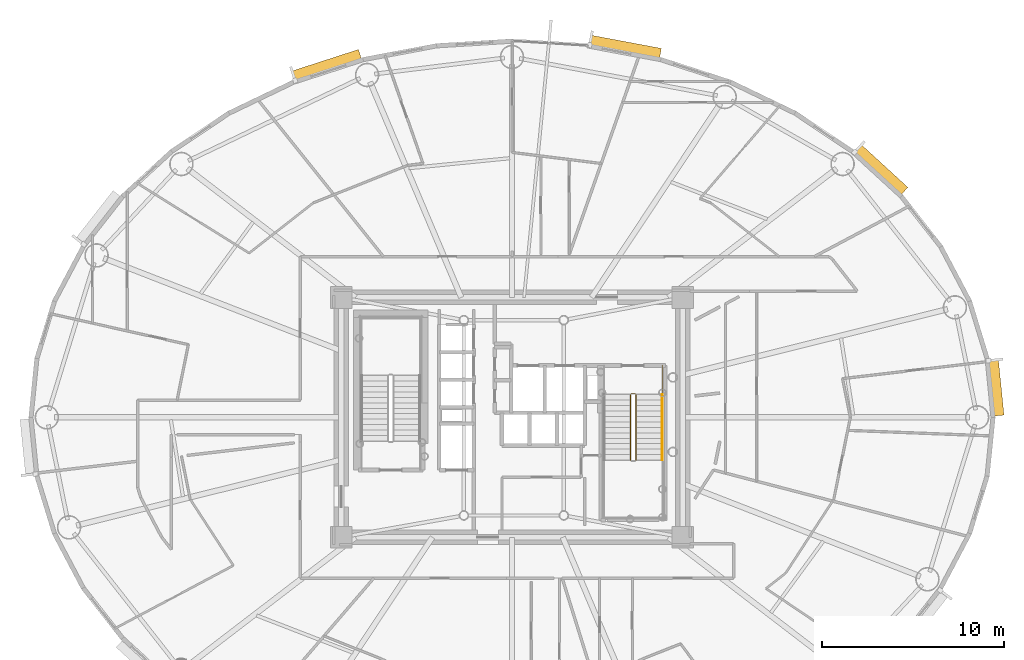
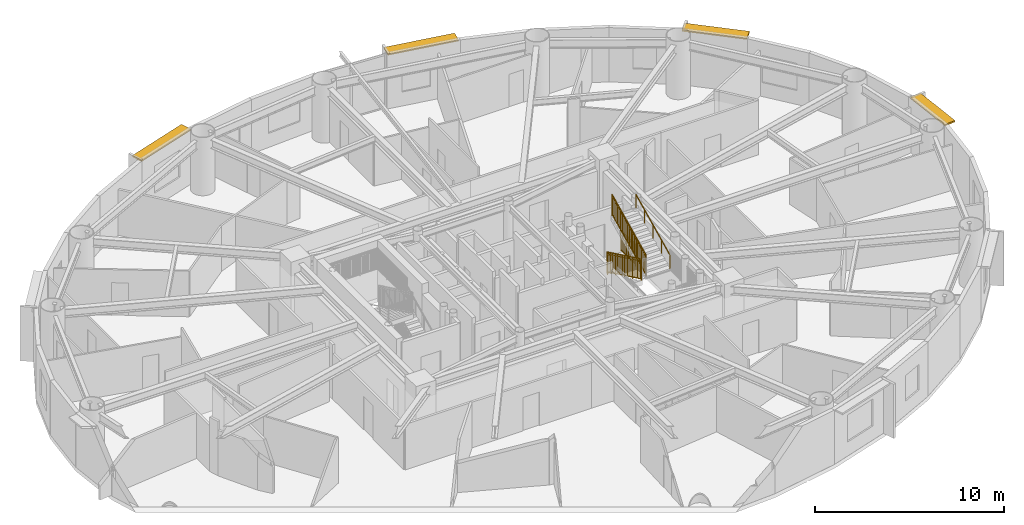
# One storey, part 17 of 17: 5 railings, 4 shading devices.
"""IFC4 building model written with IfcOpenShell, lengths in metres."""

from ifc_helpers import new_model, si_unit, direction, frame, origin, origin_2d, place, context, subcontext, project, spatial, rectangle, extrude, source, transform, mapped, material, layer, layer_set, type_object, element, save


model = new_model("IFC4")

# Units and contexts
model_context = context("Model", 3, precision=1e-05, world=origin(), true_north=direction((0.0, 1.0)))
body_context = subcontext(model_context, "Body", "Model", "MODEL_VIEW")
ifc_project = project(units=[si_unit("LENGTHUNIT", "METRE"), si_unit("AREAUNIT", "SQUARE_METRE"), si_unit("VOLUMEUNIT", "CUBIC_METRE"), si_unit("PLANEANGLEUNIT", "RADIAN"), si_unit("MASSUNIT", "GRAM", prefix="KILO")], contexts=[model_context])

# Site, building, storey
site_placement = place(None, origin())
site = spatial("IfcSite", under=ifc_project, at=site_placement, CompositionType="ELEMENT")
building_placement = place(site_placement, origin())
building = spatial("IfcBuilding", under=site, at=building_placement, Name="Linh Dai School and Residence Tower", CompositionType="ELEMENT")
storey_placement = place(building_placement, frame((0.0, 0.0, 182.39990234375)))
storey = spatial("IfcBuildingStorey", under=building, at=storey_placement, Name="L44", CompositionType="ELEMENT", Elevation=182.39990234375)

# Shading devices
ifc_material_1 = material(Name="Terracotta Ceramic Sunshade", Category="masonry")
ifc_layer = layer(ifc_material_1, 0.10009765625)
ifc_layer_set = layer_set([ifc_layer], Name="Terracotta Ceramic Sunshade")
shading_device_type = type_object("IfcShadingDeviceType", Name="SHD-TC-650", PredefinedType="USERDEFINED", material=ifc_layer_set)
shared_shape_1 = source(origin(), body_context, "Body", "SweptSolid", [
    extrude(rectangle(XDim=3.1201171875, YDim=0.64990234375, at=origin_2d()), origin(), (0.0, 0.0, 1.0), 0.10009765625),
])
shading_device_1_placement = place(storey_placement, frame((62.59619140625, 28.645263671875, 3.380126953125), z_axis=(0.0, 0.0, 1.0), x_axis=(0.100001796141, -0.994987256586, 0.0)))
element("IfcShadingDevice", 1, at=shading_device_1_placement, inside=storey, type_object=shading_device_type, Name="L44 Terracotta Horizontal Sunshade Band 01", ObjectType="SUNSHADE", PredefinedType="USERDEFINED", context=body_context, shape_type="MappedRepresentation", body=[
    mapped(shared_shape_1, transform((0.0, 0.0, 0.0), x_axis=(1.0, 0.0, 0.0), y_axis=(0.0, 1.0, 0.0), z_axis=(0.0, 0.0, 1.0), scale=1.0)),
])
shared_shape_2 = source(origin(), body_context, "Body", "SweptSolid", [
    extrude(rectangle(XDim=3.51171875, YDim=0.64990234375, at=origin_2d()), origin(), (0.0, 0.0, 1.0), 0.10009765625),
])
shading_device_2_placement = place(storey_placement, frame((56.272705078125, 40.604736328125, 3.380126953125), z_axis=(0.0, 0.0, 1.0), x_axis=(0.737085029426, -0.67580001435, 0.0)))
element("IfcShadingDevice", 2, at=shading_device_2_placement, inside=storey, type_object=shading_device_type, Name="L44 Terracotta Horizontal Sunshade Band 05", ObjectType="SUNSHADE", PredefinedType="USERDEFINED", context=body_context, shape_type="MappedRepresentation", body=[
    mapped(shared_shape_2, transform((0.0, 0.0, 0.0), x_axis=(1.0, 0.0, 0.0), y_axis=(0.0, 1.0, 0.0), z_axis=(0.0, 0.0, 1.0), scale=1.0)),
])
shared_shape_3 = source(origin(), body_context, "Body", "SweptSolid", [
    extrude(rectangle(XDim=3.949462890625, YDim=0.64990234375, at=origin_2d()), origin(), (0.0, 0.0, 1.0), 0.10009765625),
])
shading_device_3_placement = place(storey_placement, frame((42.219970703125, 47.349609375, 3.380126953125), z_axis=(0.0, 0.0, 1.0), x_axis=(0.982783192645, -0.184762540184, 0.0)))
element("IfcShadingDevice", 3, at=shading_device_3_placement, inside=storey, type_object=shading_device_type, Name="L44 Terracotta Horizontal Sunshade Band 09", ObjectType="SUNSHADE", PredefinedType="USERDEFINED", context=body_context, shape_type="MappedRepresentation", body=[
    mapped(shared_shape_3, transform((0.0, 0.0, 0.0), x_axis=(1.0, 0.0, 0.0), y_axis=(0.0, 1.0, 0.0), z_axis=(0.0, 0.0, 1.0), scale=1.0)),
])
shared_shape_4 = source(origin(), body_context, "Body", "SweptSolid", [
    extrude(rectangle(XDim=3.876220703125, YDim=0.64990234375, at=origin_2d()), origin(), (0.0, 0.0, 1.0), 0.10009765625),
])
shading_device_4_placement = place(storey_placement, frame((25.802734375, 46.337646484375, 3.380126953125), z_axis=(0.0, 0.0, 1.0), x_axis=(0.951212761419, 0.308535707031, 0.0)))
element("IfcShadingDevice", 4, at=shading_device_4_placement, inside=storey, type_object=shading_device_type, Name="L44 Terracotta Horizontal Sunshade Band 13", ObjectType="SUNSHADE", PredefinedType="USERDEFINED", context=body_context, shape_type="MappedRepresentation", body=[
    mapped(shared_shape_4, transform((0.0, 0.0, 0.0), x_axis=(1.0, 0.0, 0.0), y_axis=(0.0, 1.0, 0.0), z_axis=(0.0, 0.0, 1.0), scale=1.0)),
])

# Railings
ifc_material_2 = material(Name="Structural Steel S355JR", Category="steel")
railing_type_1 = type_object("IfcRailingType", Name="RL-ST-GUARD-1400", PredefinedType="GUARDRAIL", material=ifc_material_2)
shared_shape_5 = source(origin(), body_context, "Body", "SweptSolid", [
    extrude(rectangle(XDim=0.048095703125, YDim=0.048095703125, at=origin_2d()), frame((0.0, 0.0, 1.3759765625), z_axis=(0.0, 0.901262522062, 0.433273431364), x_axis=(-1.0, 0.0, 0.0)), (0.0, 0.0, 1.0), 3.994384765625),
    extrude(rectangle(XDim=0.048095703125, YDim=0.048095703125, at=origin_2d()), frame((0.0, 0.0, 0.10009765625), z_axis=(0.0, 0.901262522062, 0.433273431364), x_axis=(-1.0, 0.0, 0.0)), (0.0, 0.0, 1.0), 3.994384765625),
    extrude(rectangle(XDim=0.030029296875, YDim=0.030029296875, at=origin_2d()), frame((0.0, 0.0, 1.239990234375), z_axis=(0.0, 0.901262522062, 0.433273431364), x_axis=(-1.0, 0.0, 0.0)), (0.0, 0.0, 1.0), 3.994384765625),
    extrude(rectangle(XDim=0.02001953125, YDim=0.02001953125, at=origin_2d()), frame((0.0, 0.087890625, 0.142333984375)), (0.0, 0.0, 1.0), 1.251708984375),
    extrude(rectangle(XDim=0.02001953125, YDim=0.02001953125, at=origin_2d()), frame((0.0, 0.175537109375, 0.1845703125)), (0.0, 0.0, 1.0), 1.251708984375),
    extrude(rectangle(XDim=0.02001953125, YDim=0.02001953125, at=origin_2d()), frame((0.0, 0.263427734375, 0.226806640625)), (0.0, 0.0, 1.0), 1.251708984375),
    extrude(rectangle(XDim=0.02001953125, YDim=0.02001953125, at=origin_2d()), frame((0.0, 0.351318359375, 0.26904296875)), (0.0, 0.0, 1.0), 1.251708984375),
    extrude(rectangle(XDim=0.02001953125, YDim=0.02001953125, at=origin_2d()), frame((0.0, 0.43896484375, 0.311279296875)), (0.0, 0.0, 1.0), 1.251708984375),
    extrude(rectangle(XDim=0.02001953125, YDim=0.02001953125, at=origin_2d()), frame((0.0, 0.52685546875, 0.353271484375)), (0.0, 0.0, 1.0), 1.251708984375),
    extrude(rectangle(XDim=0.02001953125, YDim=0.02001953125, at=origin_2d()), frame((0.0, 0.61474609375, 0.3955078125)), (0.0, 0.0, 1.0), 1.251708984375),
    extrude(rectangle(XDim=0.02001953125, YDim=0.02001953125, at=origin_2d()), frame((0.0, 0.702392578125, 0.437744140625)), (0.0, 0.0, 1.0), 1.251708984375),
    extrude(rectangle(XDim=0.02001953125, YDim=0.02001953125, at=origin_2d()), frame((0.0, 0.790283203125, 0.47998046875)), (0.0, 0.0, 1.0), 1.251708984375),
    extrude(rectangle(XDim=0.02001953125, YDim=0.02001953125, at=origin_2d()), frame((0.0, 0.9658203125, 0.564453125)), (0.0, 0.0, 1.0), 1.251708984375),
    extrude(rectangle(XDim=0.02001953125, YDim=0.02001953125, at=origin_2d()), frame((0.0, 1.0537109375, 0.606689453125)), (0.0, 0.0, 1.0), 1.251708984375),
    extrude(rectangle(XDim=0.02001953125, YDim=0.02001953125, at=origin_2d()), frame((0.0, 1.1416015625, 0.64892578125)), (0.0, 0.0, 1.0), 1.251708984375),
    extrude(rectangle(XDim=0.02001953125, YDim=0.02001953125, at=origin_2d()), frame((0.0, 1.229248046875, 0.691162109375)), (0.0, 0.0, 1.0), 1.251708984375),
    extrude(rectangle(XDim=0.02001953125, YDim=0.02001953125, at=origin_2d()), frame((0.0, 1.317138671875, 0.7333984375)), (0.0, 0.0, 1.0), 1.251708984375),
    extrude(rectangle(XDim=0.02001953125, YDim=0.02001953125, at=origin_2d()), frame((0.0, 1.405029296875, 0.775390625)), (0.0, 0.0, 1.0), 1.251708984375),
    extrude(rectangle(XDim=0.02001953125, YDim=0.02001953125, at=origin_2d()), frame((0.0, 1.49267578125, 0.817626953125)), (0.0, 0.0, 1.0), 1.251708984375),
    extrude(rectangle(XDim=0.02001953125, YDim=0.02001953125, at=origin_2d()), frame((0.0, 1.58056640625, 0.85986328125)), (0.0, 0.0, 1.0), 1.251708984375),
    extrude(rectangle(XDim=0.02001953125, YDim=0.02001953125, at=origin_2d()), frame((0.0, 1.66845703125, 0.902099609375)), (0.0, 0.0, 1.0), 1.251708984375),
    extrude(rectangle(XDim=0.02001953125, YDim=0.02001953125, at=origin_2d()), frame((0.0, 1.756103515625, 0.9443359375)), (0.0, 0.0, 1.0), 1.251708984375),
    extrude(rectangle(XDim=0.02001953125, YDim=0.02001953125, at=origin_2d()), frame((0.0, 1.843994140625, 0.986572265625)), (0.0, 0.0, 1.0), 1.251708984375),
    extrude(rectangle(XDim=0.02001953125, YDim=0.02001953125, at=origin_2d()), frame((0.0, 1.931640625, 1.02880859375)), (0.0, 0.0, 1.0), 1.251708984375),
    extrude(rectangle(XDim=0.02001953125, YDim=0.02001953125, at=origin_2d()), frame((0.0, 2.01953125, 1.071044921875)), (0.0, 0.0, 1.0), 1.251708984375),
    extrude(rectangle(XDim=0.02001953125, YDim=0.02001953125, at=origin_2d()), frame((0.0, 2.107421875, 1.11328125)), (0.0, 0.0, 1.0), 1.251708984375),
    extrude(rectangle(XDim=0.02001953125, YDim=0.02001953125, at=origin_2d()), frame((0.0, 2.195068359375, 1.155517578125)), (0.0, 0.0, 1.0), 1.251708984375),
    extrude(rectangle(XDim=0.02001953125, YDim=0.02001953125, at=origin_2d()), frame((0.0, 2.282958984375, 1.197509765625)), (0.0, 0.0, 1.0), 1.251708984375),
    extrude(rectangle(XDim=0.02001953125, YDim=0.02001953125, at=origin_2d()), frame((0.0, 2.370849609375, 1.23974609375)), (0.0, 0.0, 1.0), 1.251708984375),
    extrude(rectangle(XDim=0.02001953125, YDim=0.02001953125, at=origin_2d()), frame((0.0, 2.45849609375, 1.281982421875)), (0.0, 0.0, 1.0), 1.251708984375),
    extrude(rectangle(XDim=0.02001953125, YDim=0.02001953125, at=origin_2d()), frame((0.0, 2.54638671875, 1.32421875)), (0.0, 0.0, 1.0), 1.251708984375),
    extrude(rectangle(XDim=0.02001953125, YDim=0.02001953125, at=origin_2d()), frame((0.0, 2.63427734375, 1.366455078125)), (0.0, 0.0, 1.0), 1.251708984375),
    extrude(rectangle(XDim=0.02001953125, YDim=0.02001953125, at=origin_2d()), frame((0.0, 2.809814453125, 1.450927734375)), (0.0, 0.0, 1.0), 1.251708984375),
    extrude(rectangle(XDim=0.02001953125, YDim=0.02001953125, at=origin_2d()), frame((0.0, 2.897705078125, 1.4931640625)), (0.0, 0.0, 1.0), 1.251708984375),
    extrude(rectangle(XDim=0.02001953125, YDim=0.02001953125, at=origin_2d()), frame((0.0, 2.9853515625, 1.535400390625)), (0.0, 0.0, 1.0), 1.251708984375),
    extrude(rectangle(XDim=0.02001953125, YDim=0.02001953125, at=origin_2d()), frame((0.0, 3.0732421875, 1.57763671875)), (0.0, 0.0, 1.0), 1.251708984375),
    extrude(rectangle(XDim=0.02001953125, YDim=0.02001953125, at=origin_2d()), frame((0.0, 3.1611328125, 1.61962890625)), (0.0, 0.0, 1.0), 1.251708984375),
    extrude(rectangle(XDim=0.02001953125, YDim=0.02001953125, at=origin_2d()), frame((0.0, 3.248779296875, 1.661865234375)), (0.0, 0.0, 1.0), 1.251708984375),
    extrude(rectangle(XDim=0.02001953125, YDim=0.02001953125, at=origin_2d()), frame((0.0, 3.336669921875, 1.7041015625)), (0.0, 0.0, 1.0), 1.251708984375),
    extrude(rectangle(XDim=0.02001953125, YDim=0.02001953125, at=origin_2d()), frame((0.0, 3.424560546875, 1.746337890625)), (0.0, 0.0, 1.0), 1.251708984375),
    extrude(rectangle(XDim=0.02001953125, YDim=0.02001953125, at=origin_2d()), frame((0.0, 3.51220703125, 1.78857421875)), (0.0, 0.0, 1.0), 1.251708984375),
    extrude(rectangle(XDim=0.0419921875, YDim=0.0419921875, at=origin_2d()), origin(), (0.0, 0.0, 1.0), 1.3759765625),
    extrude(rectangle(XDim=0.0419921875, YDim=0.0419921875, at=origin_2d()), frame((0.0, 0.89990234375, 0.4326171875)), (0.0, 0.0, 1.0), 1.3759765625),
    extrude(rectangle(XDim=0.0419921875, YDim=0.0419921875, at=origin_2d()), frame((0.0, 1.800048828125, 0.865234375)), (0.0, 0.0, 1.0), 1.3759765625),
    extrude(rectangle(XDim=0.0419921875, YDim=0.0419921875, at=origin_2d()), frame((0.0, 2.7001953125, 1.298095703125)), (0.0, 0.0, 1.0), 1.3759765625),
    extrude(rectangle(XDim=0.0419921875, YDim=0.0419921875, at=origin_2d()), frame((0.0, 3.60009765625, 1.730712890625)), (0.0, 0.0, 1.0), 1.3759765625),
])
railing_1_placement = place(storey_placement, frame((42.820068359375, 24.64990234375, 2.019287109375)))
element("IfcRailing", 5, at=railing_1_placement, inside=storey, type_object=railing_type_1, Name="L44 ST2 stair guard 6", PredefinedType="GUARDRAIL", context=body_context, shape_type="MappedRepresentation", body=[
    mapped(shared_shape_5, transform((0.0, 0.0, 0.0), x_axis=(1.0, 0.0, 0.0), y_axis=(0.0, 1.0, 0.0), z_axis=(0.0, 0.0, 1.0), scale=1.0)),
])
shared_shape_6 = source(origin(), body_context, "Body", "SweptSolid", [
    extrude(rectangle(XDim=0.048095703125, YDim=0.048095703125, at=origin_2d()), frame((0.0, 0.0, 1.3759765625), z_axis=(0.0, -0.901262522062, 0.433273431364), x_axis=(1.0, 0.0, 0.0)), (0.0, 0.0, 1.0), 3.994384765625),
    extrude(rectangle(XDim=0.048095703125, YDim=0.048095703125, at=origin_2d()), frame((0.0, 0.0, 0.10009765625), z_axis=(0.0, -0.901262522062, 0.433273431364), x_axis=(1.0, 0.0, 0.0)), (0.0, 0.0, 1.0), 3.994384765625),
    extrude(rectangle(XDim=0.030029296875, YDim=0.030029296875, at=origin_2d()), frame((0.0, 0.0, 1.239990234375), z_axis=(0.0, -0.901262522062, 0.433273431364), x_axis=(1.0, 0.0, 0.0)), (0.0, 0.0, 1.0), 3.994384765625),
    extrude(rectangle(XDim=0.02001953125, YDim=0.02001953125, at=origin_2d()), frame((0.0, -0.087890625, 0.142333984375)), (0.0, 0.0, 1.0), 1.251708984375),
    extrude(rectangle(XDim=0.02001953125, YDim=0.02001953125, at=origin_2d()), frame((0.0, -0.175537109375, 0.1845703125)), (0.0, 0.0, 1.0), 1.251708984375),
    extrude(rectangle(XDim=0.02001953125, YDim=0.02001953125, at=origin_2d()), frame((0.0, -0.263427734375, 0.226806640625)), (0.0, 0.0, 1.0), 1.251708984375),
    extrude(rectangle(XDim=0.02001953125, YDim=0.02001953125, at=origin_2d()), frame((0.0, -0.351318359375, 0.26904296875)), (0.0, 0.0, 1.0), 1.251708984375),
    extrude(rectangle(XDim=0.02001953125, YDim=0.02001953125, at=origin_2d()), frame((0.0, -0.43896484375, 0.311279296875)), (0.0, 0.0, 1.0), 1.251708984375),
    extrude(rectangle(XDim=0.02001953125, YDim=0.02001953125, at=origin_2d()), frame((0.0, -0.52685546875, 0.353271484375)), (0.0, 0.0, 1.0), 1.251708984375),
    extrude(rectangle(XDim=0.02001953125, YDim=0.02001953125, at=origin_2d()), frame((0.0, -0.61474609375, 0.3955078125)), (0.0, 0.0, 1.0), 1.251708984375),
    extrude(rectangle(XDim=0.02001953125, YDim=0.02001953125, at=origin_2d()), frame((0.0, -0.702392578125, 0.437744140625)), (0.0, 0.0, 1.0), 1.251708984375),
    extrude(rectangle(XDim=0.02001953125, YDim=0.02001953125, at=origin_2d()), frame((0.0, -0.790283203125, 0.47998046875)), (0.0, 0.0, 1.0), 1.251708984375),
    extrude(rectangle(XDim=0.02001953125, YDim=0.02001953125, at=origin_2d()), frame((0.0, -0.9658203125, 0.564453125)), (0.0, 0.0, 1.0), 1.251708984375),
    extrude(rectangle(XDim=0.02001953125, YDim=0.02001953125, at=origin_2d()), frame((0.0, -1.0537109375, 0.606689453125)), (0.0, 0.0, 1.0), 1.251708984375),
    extrude(rectangle(XDim=0.02001953125, YDim=0.02001953125, at=origin_2d()), frame((0.0, -1.1416015625, 0.64892578125)), (0.0, 0.0, 1.0), 1.251708984375),
    extrude(rectangle(XDim=0.02001953125, YDim=0.02001953125, at=origin_2d()), frame((0.0, -1.229248046875, 0.691162109375)), (0.0, 0.0, 1.0), 1.251708984375),
    extrude(rectangle(XDim=0.02001953125, YDim=0.02001953125, at=origin_2d()), frame((0.0, -1.317138671875, 0.7333984375)), (0.0, 0.0, 1.0), 1.251708984375),
    extrude(rectangle(XDim=0.02001953125, YDim=0.02001953125, at=origin_2d()), frame((0.0, -1.405029296875, 0.775390625)), (0.0, 0.0, 1.0), 1.251708984375),
    extrude(rectangle(XDim=0.02001953125, YDim=0.02001953125, at=origin_2d()), frame((0.0, -1.49267578125, 0.817626953125)), (0.0, 0.0, 1.0), 1.251708984375),
    extrude(rectangle(XDim=0.02001953125, YDim=0.02001953125, at=origin_2d()), frame((0.0, -1.58056640625, 0.85986328125)), (0.0, 0.0, 1.0), 1.251708984375),
    extrude(rectangle(XDim=0.02001953125, YDim=0.02001953125, at=origin_2d()), frame((0.0, -1.66845703125, 0.902099609375)), (0.0, 0.0, 1.0), 1.251708984375),
    extrude(rectangle(XDim=0.02001953125, YDim=0.02001953125, at=origin_2d()), frame((0.0, -1.756103515625, 0.9443359375)), (0.0, 0.0, 1.0), 1.251708984375),
    extrude(rectangle(XDim=0.02001953125, YDim=0.02001953125, at=origin_2d()), frame((0.0, -1.843994140625, 0.986572265625)), (0.0, 0.0, 1.0), 1.251708984375),
    extrude(rectangle(XDim=0.02001953125, YDim=0.02001953125, at=origin_2d()), frame((0.0, -1.931640625, 1.02880859375)), (0.0, 0.0, 1.0), 1.251708984375),
    extrude(rectangle(XDim=0.02001953125, YDim=0.02001953125, at=origin_2d()), frame((0.0, -2.01953125, 1.071044921875)), (0.0, 0.0, 1.0), 1.251708984375),
    extrude(rectangle(XDim=0.02001953125, YDim=0.02001953125, at=origin_2d()), frame((0.0, -2.107421875, 1.11328125)), (0.0, 0.0, 1.0), 1.251708984375),
    extrude(rectangle(XDim=0.02001953125, YDim=0.02001953125, at=origin_2d()), frame((0.0, -2.195068359375, 1.155517578125)), (0.0, 0.0, 1.0), 1.251708984375),
    extrude(rectangle(XDim=0.02001953125, YDim=0.02001953125, at=origin_2d()), frame((0.0, -2.282958984375, 1.197509765625)), (0.0, 0.0, 1.0), 1.251708984375),
    extrude(rectangle(XDim=0.02001953125, YDim=0.02001953125, at=origin_2d()), frame((0.0, -2.370849609375, 1.23974609375)), (0.0, 0.0, 1.0), 1.251708984375),
    extrude(rectangle(XDim=0.02001953125, YDim=0.02001953125, at=origin_2d()), frame((0.0, -2.45849609375, 1.281982421875)), (0.0, 0.0, 1.0), 1.251708984375),
    extrude(rectangle(XDim=0.02001953125, YDim=0.02001953125, at=origin_2d()), frame((0.0, -2.54638671875, 1.32421875)), (0.0, 0.0, 1.0), 1.251708984375),
    extrude(rectangle(XDim=0.02001953125, YDim=0.02001953125, at=origin_2d()), frame((0.0, -2.63427734375, 1.366455078125)), (0.0, 0.0, 1.0), 1.251708984375),
    extrude(rectangle(XDim=0.02001953125, YDim=0.02001953125, at=origin_2d()), frame((0.0, -2.809814453125, 1.450927734375)), (0.0, 0.0, 1.0), 1.251708984375),
    extrude(rectangle(XDim=0.02001953125, YDim=0.02001953125, at=origin_2d()), frame((0.0, -2.897705078125, 1.4931640625)), (0.0, 0.0, 1.0), 1.251708984375),
    extrude(rectangle(XDim=0.02001953125, YDim=0.02001953125, at=origin_2d()), frame((0.0, -2.9853515625, 1.535400390625)), (0.0, 0.0, 1.0), 1.251708984375),
    extrude(rectangle(XDim=0.02001953125, YDim=0.02001953125, at=origin_2d()), frame((0.0, -3.0732421875, 1.57763671875)), (0.0, 0.0, 1.0), 1.251708984375),
    extrude(rectangle(XDim=0.02001953125, YDim=0.02001953125, at=origin_2d()), frame((0.0, -3.1611328125, 1.61962890625)), (0.0, 0.0, 1.0), 1.251708984375),
    extrude(rectangle(XDim=0.02001953125, YDim=0.02001953125, at=origin_2d()), frame((0.0, -3.248779296875, 1.661865234375)), (0.0, 0.0, 1.0), 1.251708984375),
    extrude(rectangle(XDim=0.02001953125, YDim=0.02001953125, at=origin_2d()), frame((0.0, -3.336669921875, 1.7041015625)), (0.0, 0.0, 1.0), 1.251708984375),
    extrude(rectangle(XDim=0.02001953125, YDim=0.02001953125, at=origin_2d()), frame((0.0, -3.424560546875, 1.746337890625)), (0.0, 0.0, 1.0), 1.251708984375),
    extrude(rectangle(XDim=0.02001953125, YDim=0.02001953125, at=origin_2d()), frame((0.0, -3.51220703125, 1.78857421875)), (0.0, 0.0, 1.0), 1.251708984375),
    extrude(rectangle(XDim=0.0419921875, YDim=0.0419921875, at=origin_2d()), origin(), (0.0, 0.0, 1.0), 1.3759765625),
    extrude(rectangle(XDim=0.0419921875, YDim=0.0419921875, at=origin_2d()), frame((0.0, -0.89990234375, 0.4326171875)), (0.0, 0.0, 1.0), 1.3759765625),
    extrude(rectangle(XDim=0.0419921875, YDim=0.0419921875, at=origin_2d()), frame((0.0, -1.800048828125, 0.865234375)), (0.0, 0.0, 1.0), 1.3759765625),
    extrude(rectangle(XDim=0.0419921875, YDim=0.0419921875, at=origin_2d()), frame((0.0, -2.7001953125, 1.298095703125)), (0.0, 0.0, 1.0), 1.3759765625),
    extrude(rectangle(XDim=0.0419921875, YDim=0.0419921875, at=origin_2d()), frame((0.0, -3.60009765625, 1.730712890625)), (0.0, 0.0, 1.0), 1.3759765625),
])
railing_2_placement = place(storey_placement, frame((42.52001953125, 28.25, 0.144287109375)))
element("IfcRailing", 6, at=railing_2_placement, inside=storey, type_object=railing_type_1, Name="L44 ST2 stair guard 1", PredefinedType="GUARDRAIL", context=body_context, shape_type="MappedRepresentation", body=[
    mapped(shared_shape_6, transform((0.0, 0.0, 0.0), x_axis=(1.0, 0.0, 0.0), y_axis=(0.0, 1.0, 0.0), z_axis=(0.0, 0.0, 1.0), scale=1.0)),
])
ifc_material_3 = material(Name="Brushed Stainless Steel Handrail", Category="steel")
railing_type_2 = type_object("IfcRailingType", Name="RL-ST-HANDRAIL-900", PredefinedType="HANDRAIL", material=ifc_material_3)
shared_shape_7 = source(origin(), body_context, "Body", "SweptSolid", [
    extrude(rectangle(XDim=0.048095703125, YDim=0.048095703125, at=origin_2d()), frame((0.0, 0.0, 0.8759765625), z_axis=(0.0, 0.901262522062, 0.433273431364), x_axis=(-1.0, 0.0, 0.0)), (0.0, 0.0, 1.0), 3.994384765625),
    extrude(rectangle(XDim=0.0419921875, YDim=0.0419921875, at=origin_2d()), origin(), (0.0, 0.0, 1.0), 0.8759765625),
    extrude(rectangle(XDim=0.0419921875, YDim=0.0419921875, at=origin_2d()), frame((0.0, 0.89990234375, 0.4326171875)), (0.0, 0.0, 1.0), 0.8759765625),
    extrude(rectangle(XDim=0.0419921875, YDim=0.0419921875, at=origin_2d()), frame((0.0, 1.800048828125, 0.865234375)), (0.0, 0.0, 1.0), 0.8759765625),
    extrude(rectangle(XDim=0.0419921875, YDim=0.0419921875, at=origin_2d()), frame((0.0, 2.7001953125, 1.298095703125)), (0.0, 0.0, 1.0), 0.8759765625),
    extrude(rectangle(XDim=0.0419921875, YDim=0.0419921875, at=origin_2d()), frame((0.0, 3.60009765625, 1.730712890625)), (0.0, 0.0, 1.0), 0.8759765625),
])
railing_3_placement = place(storey_placement, frame((44.27001953125, 24.64990234375, 2.019287109375)))
element("IfcRailing", 7, at=railing_3_placement, inside=storey, type_object=railing_type_2, Name="L44 ST2 stair handrail 2", PredefinedType="HANDRAIL", context=body_context, shape_type="MappedRepresentation", body=[
    mapped(shared_shape_7, transform((0.0, 0.0, 0.0), x_axis=(1.0, 0.0, 0.0), y_axis=(0.0, 1.0, 0.0), z_axis=(0.0, 0.0, 1.0), scale=1.0)),
])
shared_shape_8 = source(origin(), body_context, "Body", "SweptSolid", [
    extrude(rectangle(XDim=0.048095703125, YDim=0.048095703125, at=origin_2d()), frame((0.0, 0.0, 1.3759765625), z_axis=(1.0, 0.0, 0.0), x_axis=(0.0, 1.0, 0.0)), (0.0, 0.0, 1.0), 0.199951171875),
    extrude(rectangle(XDim=0.048095703125, YDim=0.048095703125, at=origin_2d()), frame((0.0, 0.0, 0.10009765625), z_axis=(1.0, 0.0, 0.0), x_axis=(0.0, 1.0, 0.0)), (0.0, 0.0, 1.0), 0.199951171875),
    extrude(rectangle(XDim=0.030029296875, YDim=0.030029296875, at=origin_2d()), frame((0.0, 0.0, 1.239990234375), z_axis=(1.0, 0.0, 0.0), x_axis=(0.0, 1.0, 0.0)), (0.0, 0.0, 1.0), 0.199951171875),
    extrude(rectangle(XDim=0.0419921875, YDim=0.0419921875, at=origin_2d()), origin(), (0.0, 0.0, 1.0), 1.3759765625),
    extrude(rectangle(XDim=0.0419921875, YDim=0.0419921875, at=origin_2d()), frame((0.199951171875, 0.0, 0.0)), (0.0, 0.0, 1.0), 1.3759765625),
])
railing_4_placement = place(storey_placement, frame((42.570068359375, 28.300048828125, 0.0)))
element("IfcRailing", 8, at=railing_4_placement, inside=storey, type_object=railing_type_1, Name="L44 ST2 stair guard 7", PredefinedType="GUARDRAIL", context=body_context, shape_type="MappedRepresentation", body=[
    mapped(shared_shape_8, transform((0.0, 0.0, 0.0), x_axis=(1.0, 0.0, 0.0), y_axis=(0.0, 1.0, 0.0), z_axis=(0.0, 0.0, 1.0), scale=1.0)),
])
shared_shape_9 = source(origin(), body_context, "Body", "SweptSolid", [
    extrude(rectangle(XDim=0.048095703125, YDim=0.048095703125, at=origin_2d()), frame((0.0, 0.0, 1.3759765625), z_axis=(0.0, -1.0, 0.0), x_axis=(1.0, 0.0, 0.0)), (0.0, 0.0, 1.0), 1.60009765625),
    extrude(rectangle(XDim=0.048095703125, YDim=0.048095703125, at=origin_2d()), frame((0.0, 0.0, 0.10009765625), z_axis=(0.0, -1.0, 0.0), x_axis=(1.0, 0.0, 0.0)), (0.0, 0.0, 1.0), 1.60009765625),
    extrude(rectangle(XDim=0.030029296875, YDim=0.030029296875, at=origin_2d()), frame((0.0, 0.0, 1.239990234375), z_axis=(0.0, -1.0, 0.0), x_axis=(1.0, 0.0, 0.0)), (0.0, 0.0, 1.0), 1.60009765625),
    extrude(rectangle(XDim=0.02001953125, YDim=0.02001953125, at=origin_2d()), frame((0.0, -0.09423828125, 0.10009765625)), (0.0, 0.0, 1.0), 1.251708984375),
    extrude(rectangle(XDim=0.02001953125, YDim=0.02001953125, at=origin_2d()), frame((0.0, -0.188232421875, 0.10009765625)), (0.0, 0.0, 1.0), 1.251708984375),
    extrude(rectangle(XDim=0.02001953125, YDim=0.02001953125, at=origin_2d()), frame((0.0, -0.282470703125, 0.10009765625)), (0.0, 0.0, 1.0), 1.251708984375),
    extrude(rectangle(XDim=0.02001953125, YDim=0.02001953125, at=origin_2d()), frame((0.0, -0.37646484375, 0.10009765625)), (0.0, 0.0, 1.0), 1.251708984375),
    extrude(rectangle(XDim=0.02001953125, YDim=0.02001953125, at=origin_2d()), frame((0.0, -0.470703125, 0.10009765625)), (0.0, 0.0, 1.0), 1.251708984375),
    extrude(rectangle(XDim=0.02001953125, YDim=0.02001953125, at=origin_2d()), frame((0.0, -0.564697265625, 0.10009765625)), (0.0, 0.0, 1.0), 1.251708984375),
    extrude(rectangle(XDim=0.02001953125, YDim=0.02001953125, at=origin_2d()), frame((0.0, -0.658935546875, 0.10009765625)), (0.0, 0.0, 1.0), 1.251708984375),
    extrude(rectangle(XDim=0.02001953125, YDim=0.02001953125, at=origin_2d()), frame((0.0, -0.7529296875, 0.10009765625)), (0.0, 0.0, 1.0), 1.251708984375),
    extrude(rectangle(XDim=0.02001953125, YDim=0.02001953125, at=origin_2d()), frame((0.0, -0.84716796875, 0.10009765625)), (0.0, 0.0, 1.0), 1.251708984375),
    extrude(rectangle(XDim=0.02001953125, YDim=0.02001953125, at=origin_2d()), frame((0.0, -0.941162109375, 0.10009765625)), (0.0, 0.0, 1.0), 1.251708984375),
    extrude(rectangle(XDim=0.02001953125, YDim=0.02001953125, at=origin_2d()), frame((0.0, -1.035400390625, 0.10009765625)), (0.0, 0.0, 1.0), 1.251708984375),
    extrude(rectangle(XDim=0.02001953125, YDim=0.02001953125, at=origin_2d()), frame((0.0, -1.12939453125, 0.10009765625)), (0.0, 0.0, 1.0), 1.251708984375),
    extrude(rectangle(XDim=0.02001953125, YDim=0.02001953125, at=origin_2d()), frame((0.0, -1.2236328125, 0.10009765625)), (0.0, 0.0, 1.0), 1.251708984375),
    extrude(rectangle(XDim=0.02001953125, YDim=0.02001953125, at=origin_2d()), frame((0.0, -1.317626953125, 0.10009765625)), (0.0, 0.0, 1.0), 1.251708984375),
    extrude(rectangle(XDim=0.02001953125, YDim=0.02001953125, at=origin_2d()), frame((0.0, -1.411865234375, 0.10009765625)), (0.0, 0.0, 1.0), 1.251708984375),
    extrude(rectangle(XDim=0.02001953125, YDim=0.02001953125, at=origin_2d()), frame((0.0, -1.505859375, 0.10009765625)), (0.0, 0.0, 1.0), 1.251708984375),
    extrude(rectangle(XDim=0.0419921875, YDim=0.0419921875, at=origin_2d()), origin(), (0.0, 0.0, 1.0), 1.3759765625),
    extrude(rectangle(XDim=0.0419921875, YDim=0.0419921875, at=origin_2d()), frame((0.0, -0.800048828125, 0.0)), (0.0, 0.0, 1.0), 1.3759765625),
    extrude(rectangle(XDim=0.0419921875, YDim=0.0419921875, at=origin_2d()), frame((0.0, -1.60009765625, 0.0)), (0.0, 0.0, 1.0), 1.3759765625),
])
railing_5_placement = place(storey_placement, frame((44.27001953125, 29.85009765625, 0.0)))
element("IfcRailing", 9, at=railing_5_placement, inside=storey, type_object=railing_type_1, Name="L44 ST2 stair guard 9", PredefinedType="GUARDRAIL", context=body_context, shape_type="MappedRepresentation", body=[
    mapped(shared_shape_9, transform((0.0, 0.0, 0.0), x_axis=(1.0, 0.0, 0.0), y_axis=(0.0, 1.0, 0.0), z_axis=(0.0, 0.0, 1.0), scale=1.0)),
])

save(model, "model.ifc")
